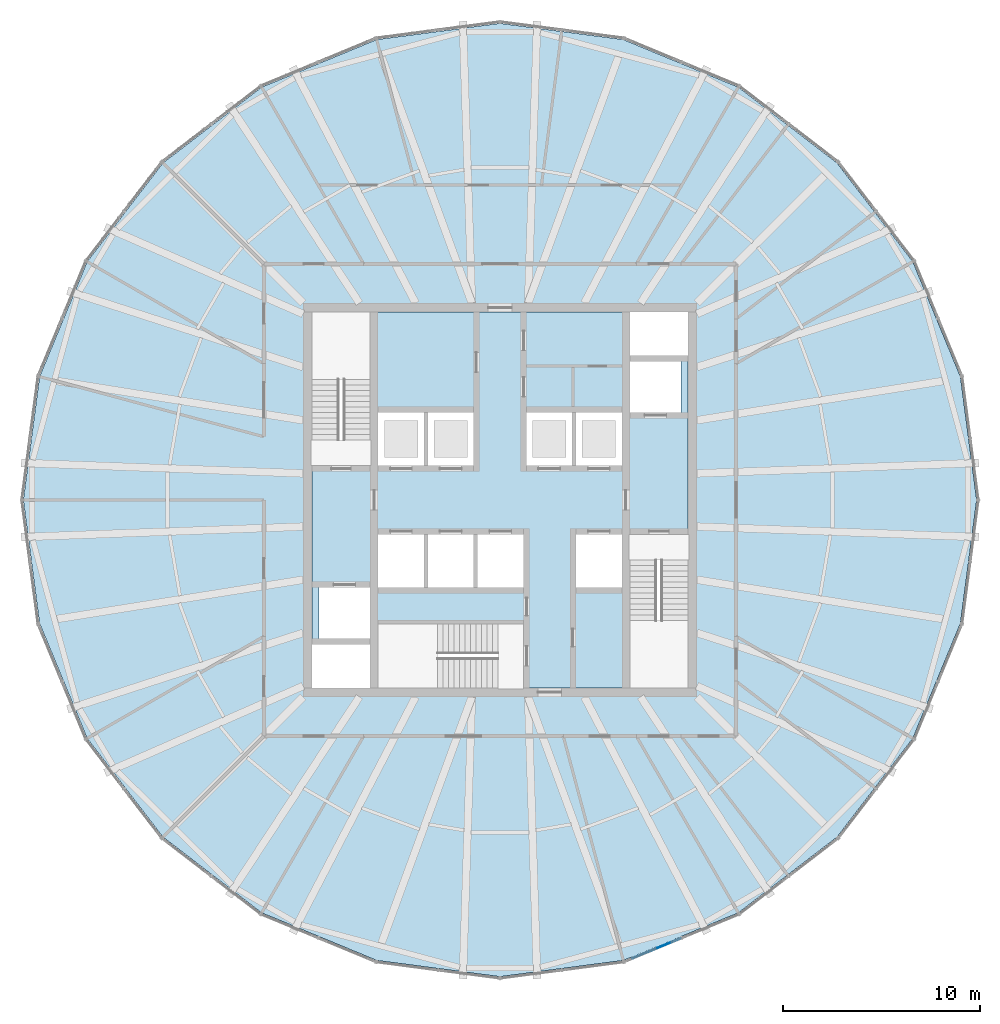
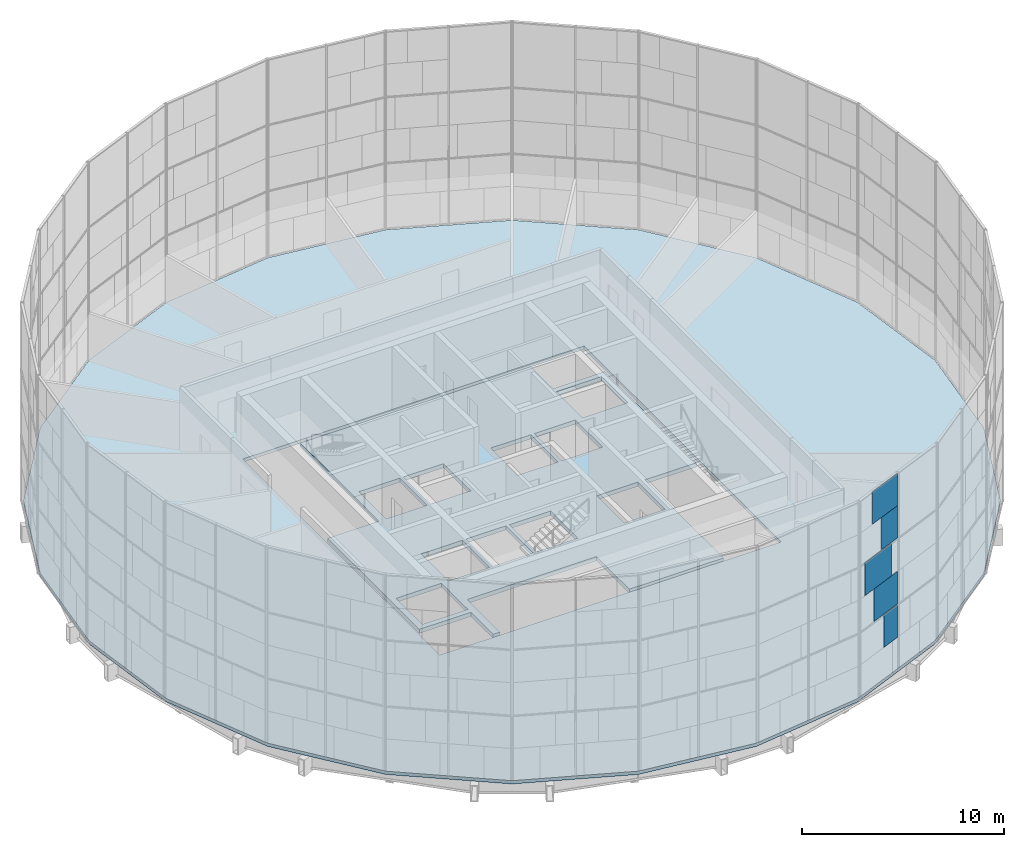
# One storey, part 12 of 22: 5 plates, 2 slabs, 1 element without a shape of its own.
"""IFC4 building model written with IfcOpenShell, lengths in metres."""

from ifc_helpers import new_model, si_unit, direction, frame, origin, origin_2d, place, context, subcontext, project, spatial, polyline, rectangle, outline, extrude, material, layer, layer_set, type_object, element, aggregate, save


model = new_model("IFC4")

# Units and contexts
model_context = context("Model", 3, precision=1e-05, world=origin(), true_north=direction((0.0, 1.0)))
body_context = subcontext(model_context, "Body", "Model", "MODEL_VIEW")
ifc_project = project(units=[si_unit("LENGTHUNIT", "METRE"), si_unit("AREAUNIT", "SQUARE_METRE"), si_unit("VOLUMEUNIT", "CUBIC_METRE"), si_unit("PLANEANGLEUNIT", "RADIAN"), si_unit("MASSUNIT", "GRAM", prefix="KILO")], contexts=[model_context])

# Site, building, storey
site_placement = place(None, origin())
site = spatial("IfcSite", under=ifc_project, at=site_placement, CompositionType="ELEMENT")
building_placement = place(site_placement, origin())
building = spatial("IfcBuilding", under=site, at=building_placement, Name="Golbaran Civic Tower", CompositionType="ELEMENT")
storey_placement = place(building_placement, frame((0.0, 0.0, 155.0)))
storey = spatial("IfcBuildingStorey", under=building, at=storey_placement, Name="L37", CompositionType="ELEMENT", Elevation=155.0)

# Slabs
ifc_material_1 = material(Name="Concrete LC30/33 lightweight on steel deck", Category="concrete")
ifc_layer_1 = layer(ifc_material_1, 0.199951171875, Name="Concrete LC30/33 lightweight on steel deck")
ifc_layer_set_1 = layer_set([ifc_layer_1], Name="Concrete LC30/33 lightweight on steel deck")
slab_type_1 = type_object("IfcSlabType", Name="COMPOSITE FLOOR SLAB 200", PredefinedType="FLOOR", material=ifc_layer_set_1)
slab_1_placement = place(storey_placement, frame((0.0, 0.0, -0.199951171875)))
element("IfcSlab", 1, at=slab_1_placement, inside=storey, type_object=slab_type_1, Name="Floor slab L37", PredefinedType="FLOOR", context=body_context, shape_type="SweptSolid", body=[
    extrude(outline(polyline([(20.976318359375, -12.110595703125), (17.126953125, -17.126953125), (12.110595703125, -20.976318359375), (6.26904296875, -23.39599609375), (0.0, -24.22119140625), (-6.26904296875, -23.39599609375), (-12.110595703125, -20.976318359375), (-17.126953125, -17.126953125), (-20.976318359375, -12.110595703125), (-23.39599609375, -6.26904296875), (-24.22119140625, 0.0), (-23.39599609375, 6.26904296875), (-20.976318359375, 12.110595703125), (-17.126953125, 17.126953125), (-12.110595703125, 20.976318359375), (-6.26904296875, 23.39599609375), (0.0, 24.22119140625), (6.26904296875, 23.39599609375), (12.110595703125, 20.976318359375), (17.126953125, 17.126953125), (20.976318359375, 12.110595703125), (23.39599609375, 6.26904296875), (24.22119140625, 0.0), (23.39599609375, -6.26904296875), (20.976318359375, -12.110595703125)]), holes=[polyline([(-9.77490234375, 9.77490234375), (-9.77490234375, -9.77490234375), (9.77490234375, -9.77490234375), (9.77490234375, 9.77490234375), (-9.77490234375, 9.77490234375)])]), origin(), (0.0, 0.0, 1.0), 0.199951171875),
])
ifc_material_2 = material(Name="Concrete C35/45", Category="concrete")
ifc_layer_2 = layer(ifc_material_2, 0.25, Name="Concrete C35/45")
ifc_layer_set_2 = layer_set([ifc_layer_2], Name="Concrete C35/45")
slab_type_2 = type_object("IfcSlabType", Name="CORE FLOOR SLAB 250", PredefinedType="FLOOR", material=ifc_layer_set_2)
slab_2_placement = place(storey_placement, frame((0.0, 0.0, -0.25)))
element("IfcSlab", 2, at=slab_2_placement, inside=storey, type_object=slab_type_2, Name="Core floor slab L37", PredefinedType="FLOOR", context=body_context, shape_type="SweptSolid", body=[
    extrude(outline(polyline([(6.60009765625, -1.75), (6.60009765625, -9.550048828125), (1.199951171875, -9.550048828125), (1.199951171875, -6.300048828125), (-6.199951171875, -6.300048828125), (-6.199951171875, -9.550048828125), (-6.60009765625, -9.550048828125), (-6.60009765625, -7.35009765625), (-9.550048828125, -7.35009765625), (-9.550048828125, 1.75), (-6.60009765625, 1.75), (-6.60009765625, 9.550048828125), (6.60009765625, 9.550048828125), (6.60009765625, 7.35009765625), (9.550048828125, 7.35009765625), (9.550048828125, -1.75), (6.60009765625, -1.75)]), holes=[polyline([(9.199951171875, 7.050048828125), (6.60009765625, 7.050048828125), (6.60009765625, 4.449951171875), (9.199951171875, 4.449951171875), (9.199951171875, 7.050048828125)]), polyline([(6.199951171875, -1.75), (3.85009765625, -1.75), (3.85009765625, -4.449951171875), (6.199951171875, -4.449951171875), (6.199951171875, -1.75)]), polyline([(6.199951171875, 4.449951171875), (3.85009765625, 4.449951171875), (3.85009765625, 1.75), (6.199951171875, 1.75), (6.199951171875, 4.449951171875)]), polyline([(3.64990234375, 4.449951171875), (1.35009765625, 4.449951171875), (1.35009765625, 1.75), (3.64990234375, 1.75), (3.64990234375, 4.449951171875)]), polyline([(1.199951171875, -1.75), (-1.14990234375, -1.75), (-1.14990234375, -4.449951171875), (1.199951171875, -4.449951171875), (1.199951171875, -1.75)]), polyline([(-1.35009765625, 4.449951171875), (-3.64990234375, 4.449951171875), (-3.64990234375, 1.75), (-1.35009765625, 1.75), (-1.35009765625, 4.449951171875)]), polyline([(-1.35009765625, -1.75), (-3.64990234375, -1.75), (-3.64990234375, -4.449951171875), (-1.35009765625, -4.449951171875), (-1.35009765625, -1.75)]), polyline([(-3.85009765625, -1.75), (-6.199951171875, -1.75), (-6.199951171875, -4.449951171875), (-3.85009765625, -4.449951171875), (-3.85009765625, -1.75)]), polyline([(-3.85009765625, 4.449951171875), (-6.199951171875, 4.449951171875), (-6.199951171875, 1.75), (-3.85009765625, 1.75), (-3.85009765625, 4.449951171875)]), polyline([(-6.60009765625, -4.449951171875), (-9.199951171875, -4.449951171875), (-9.199951171875, -7.050048828125), (-6.60009765625, -7.050048828125), (-6.60009765625, -4.449951171875)])]), origin(), (0.0, 0.0, 1.0), 0.25),
])

# Curtain wall, plates
ifc_material_3 = material(Name="Aluminium and glass", Category="aluminium")
curtain_wall_type = type_object("IfcCurtainWallType", Name="INNER SKIN CURTAIN WALL", PredefinedType="NOTDEFINED", material=ifc_material_3)
curtain_wall_placement = place(storey_placement, origin())
curtain_wall = element("IfcCurtainWall", 3, at=curtain_wall_placement, inside=storey, type_object=curtain_wall_type, Name="Inner skin L37 facet 20 CW1", ObjectType="INNER SKIN", PredefinedType="USERDEFINED")
ifc_material_4 = material(Name="Clear insulating glass", Category="glass")
ifc_layer_3 = layer(ifc_material_4, 0.031982421875, Name="Clear insulating glass")
ifc_layer_set_3 = layer_set([ifc_layer_3], Name="Clear insulating glass")
plate_type_1 = type_object("IfcPlateType", Name="INNER SKIN CURTAIN WALL GLAZED PANEL", PredefinedType="CURTAIN_PANEL", material=ifc_layer_set_3)
plate_1_placement = place(storey_placement, frame((8.598388671875, -22.517578125, 8.032470703125), z_axis=(0.0, 0.0, 1.0), x_axis=(0.923879532551, 0.382683432268, 0.0)))
plate_1 = element("IfcPlate", 4, at=plate_1_placement, type_object=plate_type_1, Name="CW1 panel 1.3 part 2", PredefinedType="CURTAIN_PANEL", context=body_context, shape_type="SweptSolid", body=[
    extrude(rectangle(XDim=1.281494140625, YDim=0.031982421875, at=origin_2d()), origin(), (0.0, 0.0, 1.0), 1.951171875),
])
plate_2_placement = place(storey_placement, frame((8.25, -22.661865234375, 9.98388671875), z_axis=(0.0, 0.0, 1.0), x_axis=(0.923879532551, 0.382683432268, 0.0)))
plate_2 = element("IfcPlate", 5, at=plate_2_placement, type_object=plate_type_1, Name="CW1 panel 1.3 part 4", PredefinedType="CURTAIN_PANEL", context=body_context, shape_type="SweptSolid", body=[
    extrude(rectangle(XDim=2.03564453125, YDim=0.031982421875, at=origin_2d()), origin(), (0.0, 0.0, 1.0), 1.951171875),
])
ifc_material_5 = material(Name="Aluminium faced opaque infill panel", Category="aluminium")
ifc_layer_4 = layer(ifc_material_5, 0.031982421875, Name="Aluminium faced opaque infill panel")
ifc_layer_set_4 = layer_set([ifc_layer_4], Name="Aluminium faced opaque infill panel")
plate_type_2 = type_object("IfcPlateType", Name="INNER SKIN CURTAIN WALL OPAQUE INFILL PANEL", PredefinedType="CURTAIN_PANEL", material=ifc_layer_set_4)
plate_3_placement = place(storey_placement, frame((8.677490234375, -22.48486328125, 2.016357421875), z_axis=(0.0, 0.0, 1.0), x_axis=(0.923879532551, 0.382683432268, 0.0)))
plate_3 = element("IfcPlate", 6, at=plate_3_placement, type_object=plate_type_2, Name="CW1 infill panel 1.1 part 4", PredefinedType="CURTAIN_PANEL", context=body_context, shape_type="SweptSolid", body=[
    extrude(rectangle(XDim=1.110595703125, YDim=0.031982421875, at=origin_2d()), origin(), (0.0, 0.0, 1.0), 1.951171875),
])
plate_4_placement = place(storey_placement, frame((8.315185546875, -22.635009765625, 4.03271484375), z_axis=(0.0, 0.0, 1.0), x_axis=(0.923879532551, 0.382683432268, 0.0)))
plate_4 = element("IfcPlate", 7, at=plate_4_placement, type_object=plate_type_2, Name="CW1 infill panel 1.2 part 2", PredefinedType="CURTAIN_PANEL", context=body_context, shape_type="SweptSolid", body=[
    extrude(rectangle(XDim=1.89453125, YDim=0.031982421875, at=origin_2d()), origin(), (0.0, 0.0, 1.0), 1.967529296875),
])
plate_5_placement = place(storey_placement, frame((7.73486328125, -22.87548828125, 6.0), z_axis=(0.0, 0.0, 1.0), x_axis=(0.923879532551, 0.382683432268, 0.0)))
plate_5 = element("IfcPlate", 8, at=plate_5_placement, type_object=plate_type_2, Name="CW1 infill panel 1.2 part 4", PredefinedType="CURTAIN_PANEL", context=body_context, shape_type="SweptSolid", body=[
    extrude(rectangle(XDim=2.157958984375, YDim=0.031982421875, at=origin_2d()), origin(), (0.0, 0.0, 1.0), 1.967529296875),
])
aggregate(curtain_wall, [plate_3, plate_4, plate_5, plate_1, plate_2])

save(model, "model.ifc")
